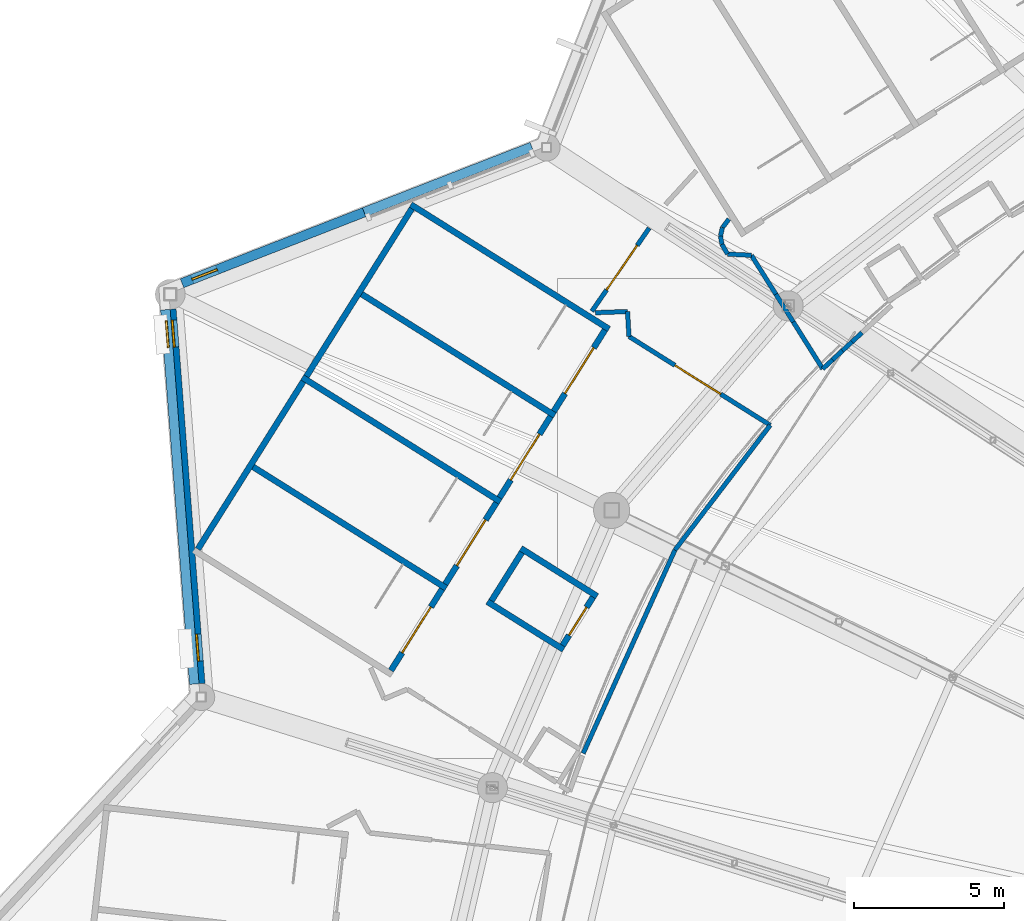
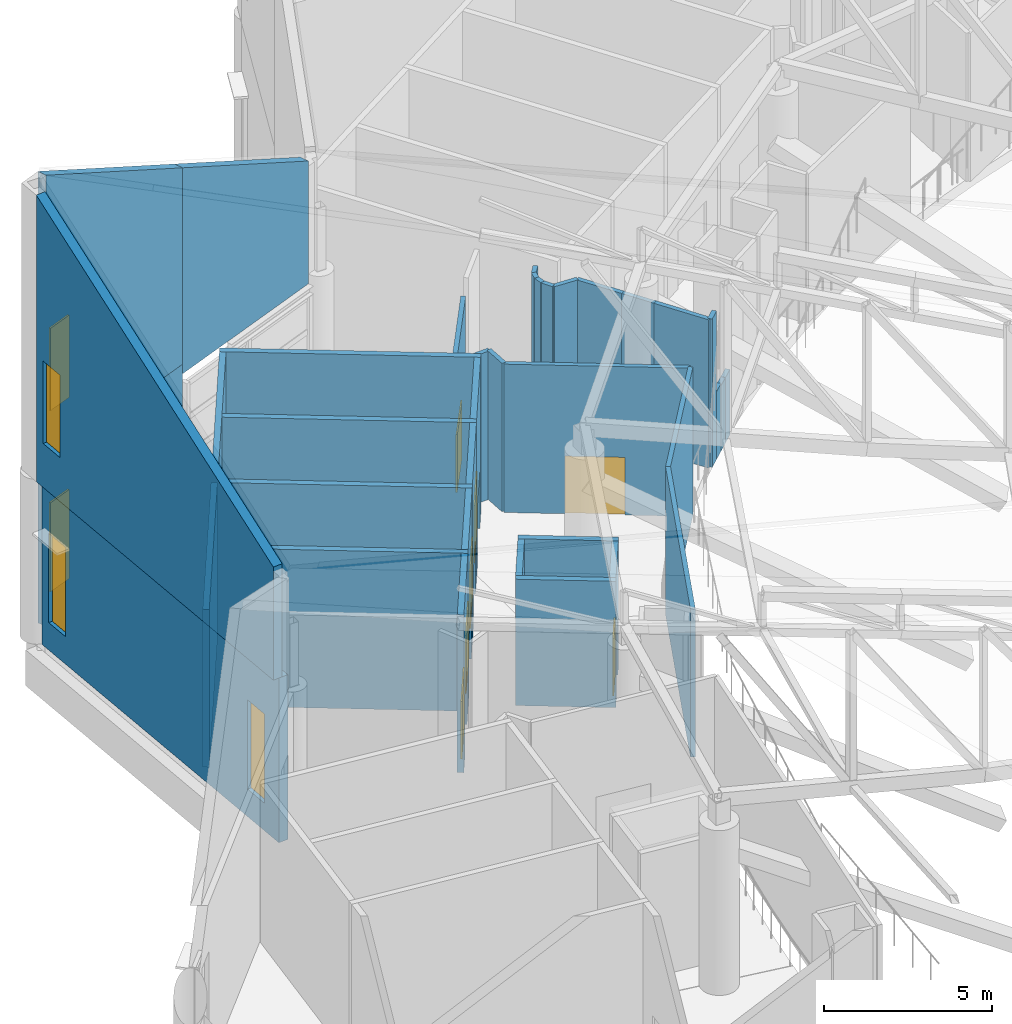
# One storey, part 263 of 344: 37 walls, 7 doors, 5 windows, 12 openings.
"""IFC4 building model written with IfcOpenShell, lengths in metres."""

import ifcopenshell
import ifcopenshell.guid

model = None  # the IFC model being written
_history = None  # IfcOwnerHistory: only IFC2X3 demands one
_inside = {}  # id of a spatial element -> (the spatial element, [elements in it])
_under = {}  # id of a project, library or spatial element -> (it, [spatial elements below it])
_declared = {}  # id of a project -> (the project, [libraries it declares])
_typed = {}  # id of a type object -> (the type object, [elements of that type])
_made_of = {}  # id of a material, layer set ... -> (it, [elements and type objects made of it])


def new_model(schema):
    """Start an empty IFC model of exactly this schema.

    Asked for "IFC4X3", IfcOpenShell would pick the latest addendum, in which some entities
    have other attributes; the version numbers below select the first issue.
    IFC2X3 requires an IfcOwnerHistory on every rooted entity: one is made here for all.
    """
    global model, _history
    if schema == "IFC4X3":
        model = ifcopenshell.file(schema_version=(4, 3, 0, 0))
    else:
        model = ifcopenshell.file(schema=schema)
    _inside.clear()
    _under.clear()
    _declared.clear()
    _typed.clear()
    _made_of.clear()
    _history = None
    if model.schema == "IFC2X3":
        org = make("IfcOrganization", Name="unknown")
        user = make(
            "IfcPersonAndOrganization",
            ThePerson=make("IfcPerson", FamilyName="unknown"),
            TheOrganization=org,
        )
        app = make(
            "IfcApplication",
            ApplicationDeveloper=org,
            Version="unknown",
            ApplicationFullName="unknown",
            ApplicationIdentifier="unknown",
        )
        _history = make(
            "IfcOwnerHistory",
            OwningUser=user,
            OwningApplication=app,
            ChangeAction="ADDED",
            CreationDate=0,
        )
    return model


def make(cls, **values):
    """One entity of the class cls with the attributes given. An attribute that is None is left unset."""
    return model.create_entity(
        cls, **{name: value for name, value in values.items() if value is not None}
    )


def rooted(cls, **values):
    """An entity with a GlobalId (a new one), such as an element, a storey or a relation."""
    return make(cls, GlobalId=ifcopenshell.guid.new(), OwnerHistory=_history, **values)


def si_unit(unit_type, name, prefix=None):
    """IfcSIUnit, for example si_unit("LENGTHUNIT", "METRE", prefix="MILLI")."""
    return make("IfcSIUnit", UnitType=unit_type, Prefix=prefix, Name=name)


def assignment(units):
    """IfcUnitAssignment: the units of a project."""
    return None if units is None else make("IfcUnitAssignment", Units=units)


def point(xyz):
    """IfcCartesianPoint."""
    return None if xyz is None else make("IfcCartesianPoint", Coordinates=xyz)


def direction(xyz):
    """IfcDirection."""
    return None if xyz is None else make("IfcDirection", DirectionRatios=xyz)


def frame(location, z_axis=None, x_axis=None):
    """IfcAxis2Placement3D, a coordinate frame: its origin and axes. An axis left out is left unset."""
    return make(
        "IfcAxis2Placement3D",
        Location=point(location),
        Axis=direction(z_axis),
        RefDirection=direction(x_axis),
    )


def frame_2d(location, x_axis=None):
    """IfcAxis2Placement2D, a coordinate frame in the plane: its origin and x axis."""
    return make(
        "IfcAxis2Placement2D", Location=point(location), RefDirection=direction(x_axis)
    )


def origin():
    """The frame at (0, 0, 0) with its axes left unset."""
    return frame((0.0, 0.0, 0.0))


def place(relative_to, where):
    """IfcLocalPlacement: puts the frame where relative to a parent placement (None: the world)."""
    return make(
        "IfcLocalPlacement", PlacementRelTo=relative_to, RelativePlacement=where
    )


def context(
    kind, dimensions, precision=None, world=None, true_north=None, identifier=None
):
    """IfcGeometricRepresentationContext, for example the 3D "Model" context."""
    return make(
        "IfcGeometricRepresentationContext",
        ContextIdentifier=identifier,
        ContextType=kind,
        CoordinateSpaceDimension=dimensions,
        Precision=precision,
        WorldCoordinateSystem=world,
        TrueNorth=true_north,
    )


def subcontext(parent, identifier, kind, view, scale=None):
    """IfcGeometricRepresentationSubContext, for example "Body" below "Model"."""
    return make(
        "IfcGeometricRepresentationSubContext",
        ContextIdentifier=identifier,
        ContextType=kind,
        ParentContext=parent,
        TargetScale=scale,
        TargetView=view,
    )


def project(units=None, contexts=None):
    """IfcProject with its units and contexts."""
    return rooted(
        "IfcProject",
        Name="project",
        RepresentationContexts=contexts,
        UnitsInContext=assignment(units),
    )


def spatial(cls, under=None, at=None, **own):
    """A site, building, storey or space (cls), placed at a placement, below another one or the project."""
    s = rooted(cls, ObjectPlacement=at, **own)
    if under is not None:
        _under.setdefault(under.id(), (under, []))[1].append(s)
    return s


def polyline(points):
    """IfcPolyline through the points."""
    return make("IfcPolyline", Points=[point(p) for p in points])


def profile(cls, at=None, kind="AREA", **sizes):
    """A parametric profile (cls). Its sizes go by their IFC names, for example OverallWidth=200.0."""
    return make(cls, ProfileType=kind, Position=at, **sizes)


def rectangle(**sizes):
    """IfcRectangleProfileDef."""
    return profile("IfcRectangleProfileDef", **sizes)


def outline(outer, holes=None, kind="AREA"):
    """IfcArbitraryClosedProfileDef: a profile drawn as a closed curve; with holes, ...WithVoids."""
    if holes is None:
        return make("IfcArbitraryClosedProfileDef", ProfileType=kind, OuterCurve=outer)
    return make(
        "IfcArbitraryProfileDefWithVoids",
        ProfileType=kind,
        OuterCurve=outer,
        InnerCurves=holes,
    )


def extrude(swept, where, along, depth):
    """IfcExtrudedAreaSolid: the profile swept, set in the frame where, extruded along a direction by depth."""
    return make(
        "IfcExtrudedAreaSolid",
        SweptArea=swept,
        Position=where,
        ExtrudedDirection=direction(along),
        Depth=depth,
    )


def shape(context_of_items, identifier, shape_type, items):
    """IfcShapeRepresentation: the items that make up one representation, for example the "Body"."""
    return make(
        "IfcShapeRepresentation",
        ContextOfItems=context_of_items,
        RepresentationIdentifier=identifier,
        RepresentationType=shape_type,
        Items=items,
    )


def material(Name=None, Category=None):
    """IfcMaterial."""
    return make("IfcMaterial", Name=Name, Category=Category)


def layer(
    of_material, thickness, ventilated=None, Name=None, Category=None, Priority=None
):
    """IfcMaterialLayer: one layer of a wall or slab, of a material (None: an air gap)."""
    return make(
        "IfcMaterialLayer",
        Material=of_material,
        LayerThickness=thickness,
        IsVentilated=ventilated,
        Name=Name,
        Category=Category,
        Priority=Priority,
    )


def layer_set(layers, Name=None):
    """IfcMaterialLayerSet."""
    return make("IfcMaterialLayerSet", MaterialLayers=layers, LayerSetName=Name)


def made_of(thing, what):
    """Note that an element or type object is made of a material, layer set ...; save() writes the relation."""
    if what is not None:
        _made_of.setdefault(what.id(), (what, []))[1].append(thing)
    return thing


def type_object(cls, material=None, **own):
    """A type object (cls), such as IfcWallType, which elements share."""
    return made_of(rooted(cls, **own), material)


def element(
    cls,
    number,
    at=None,
    inside=None,
    cuts=None,
    type_object=None,
    material=None,
    context=None,
    identifier="Body",
    shape_type=None,
    held_by="IfcProductDefinitionShape",
    body=None,
    shapes=None,
    **own,
):
    """One element of the class cls, such as IfcWall. Its Tag is "e" and its number.

    at: its placement. inside: the storey or other place that contains it. cuts: it is an
    opening in that element (IfcRelVoidsElement). A single representation is given by context,
    identifier, shape_type and body (its items); several are given by shapes. held_by: the class
    of the entity that holds the representations. save() writes the other relations.
    """
    e = rooted(cls, Tag="e%d" % number, ObjectPlacement=at, **own)
    if body is not None:
        shapes = [shape(context, identifier, shape_type, body)]
    if shapes is not None:
        e.Representation = make(held_by, Representations=shapes)
    if inside is not None:
        _inside.setdefault(inside.id(), (inside, []))[1].append(e)
    if cuts is not None:
        rooted(
            "IfcRelVoidsElement", RelatingBuildingElement=cuts, RelatedOpeningElement=e
        )
    if type_object is not None:
        _typed.setdefault(type_object.id(), (type_object, []))[1].append(e)
    return made_of(e, material)


def fill(opening, filler):
    """IfcRelFillsElement: the door or window that sits in an opening."""
    return rooted(
        "IfcRelFillsElement",
        RelatingOpeningElement=opening,
        RelatedBuildingElement=filler,
    )


def aggregate(whole, parts):
    """IfcRelAggregates: a whole, such as a stair, and the parts it consists of."""
    return rooted("IfcRelAggregates", RelatingObject=whole, RelatedObjects=parts)


def save(model, path):
    """Write the relations noted so far, then the file.

    IfcRelAggregates (storeys below a building ...), IfcRelContainedInSpatialStructure (elements
    in a storey), IfcRelDefinesByType, IfcRelAssociatesMaterial and IfcRelDeclares: one each for
    every whole, place, type object, material and project.
    """
    for whole, parts in _under.values():
        aggregate(whole, parts)
    for where, things in _inside.values():
        rooted(
            "IfcRelContainedInSpatialStructure",
            RelatedElements=things,
            RelatingStructure=where,
        )
    for kind, things in _typed.values():
        rooted("IfcRelDefinesByType", RelatedObjects=things, RelatingType=kind)
    for what, things in _made_of.values():
        rooted("IfcRelAssociatesMaterial", RelatedObjects=things, RelatingMaterial=what)
    for by, libraries in _declared.values():
        rooted("IfcRelDeclares", RelatingContext=by, RelatedDefinitions=libraries)
    model.write(path)


model = new_model("IFC4")

# Units and contexts
model_context = context("Model", 3, precision=1e-05, world=origin(), true_north=direction((0.0, 1.0)))
body_context = subcontext(model_context, "Body", "Model", "MODEL_VIEW")
ifc_project = project(units=[si_unit("LENGTHUNIT", "METRE"), si_unit("AREAUNIT", "SQUARE_METRE"), si_unit("VOLUMEUNIT", "CUBIC_METRE"), si_unit("PLANEANGLEUNIT", "RADIAN"), si_unit("MASSUNIT", "GRAM", prefix="KILO")], contexts=[model_context])

# Site, building, storey
site_placement = place(None, origin())
site = spatial("IfcSite", under=ifc_project, at=site_placement, CompositionType="ELEMENT")
building_placement = place(site_placement, origin())
building = spatial("IfcBuilding", under=site, at=building_placement, Name="Meseta Stadium", CompositionType="ELEMENT")
storey_placement = place(building_placement, frame((0.0, 0.0, 24.0)))
storey = spatial("IfcBuildingStorey", under=building, at=storey_placement, Name="L04", CompositionType="ELEMENT", Elevation=24.0)

# Walls
ifc_material_1 = material(Name="Concrete C40/50", Category="concrete")
ifc_layer_1 = layer(ifc_material_1, 0.199951171875)
ifc_layer_set_1 = layer_set([ifc_layer_1], Name="Core divider wall 200")
wall_type_1 = type_object("IfcWallType", Name="Core divider wall 200", PredefinedType="SHEAR", material=ifc_layer_set_1)
wall_1_placement = place(storey_placement, frame((-86.696533203125, 79.5869140625, 0.0), z_axis=(0.0, 0.0, 1.0), x_axis=(0.846713903605, -0.532048461553, 0.0)))
element("IfcWall", 1, at=wall_1_placement, inside=storey, type_object=wall_type_1, Name="Core 14 L04 stair A divider wall", PredefinedType="SHEAR", context=body_context, shape_type="SweptSolid", body=[
    extrude(rectangle(XDim=7.7998046875, YDim=0.199951171875, at=frame_2d((3.89990234375, 0.0))), origin(), (0.0, 0.0, 1.0), 5.75),
])
wall_2_placement = place(storey_placement, frame((-90.314453125, 73.8291015625, 0.0), z_axis=(0.0, 0.0, 1.0), x_axis=(0.846722763703, -0.532034361135, 0.0)))
element("IfcWall", 2, at=wall_2_placement, inside=storey, type_object=wall_type_1, Name="Core 14 L04 stair B divider wall", PredefinedType="SHEAR", context=body_context, shape_type="SweptSolid", body=[
    extrude(rectangle(XDim=7.800048828125, YDim=0.199951171875, at=frame_2d((3.89990234375, 0.0))), origin(), (0.0, 0.0, 1.0), 5.75),
])
ifc_material_2 = material(Name="Concrete C40/50", Category="concrete")
ifc_layer_2 = layer(ifc_material_2, 0.199951171875)
ifc_layer_set_2 = layer_set([ifc_layer_2], Name="Core shaft wall 200")
wall_type_2 = type_object("IfcWallType", Name="Core shaft wall 200", PredefinedType="SHEAR", material=ifc_layer_set_2)
for number, where, z_axis, x_axis, name in (
    (3, (-84.8876953125, 82.4658203125, 0.0), (0.0, 0.0, 1.0), (0.846722763703, -0.532034361135, 0.0), "Core 14 L04 stair wall A-side"),
    (4, (-88.505615234375, 76.7080078125, 0.0), (0.0, 0.0, 1.0), (0.846722763703, -0.532034361135, 0.0), "Core 14 L04 stair wall shared"),
):
    element("IfcWall", number, at=place(storey_placement, frame(where, z_axis=z_axis, x_axis=x_axis)), inside=storey, type_object=wall_type_2, Name=name, PredefinedType="SHEAR", context=body_context, shape_type="SweptSolid", body=[
        extrude(rectangle(XDim=7.800048828125, YDim=0.199951171875, at=frame_2d((3.89990234375, 0.0))), origin(), (0.0, 0.0, 1.0), 5.75),
    ])
for number, where, z_axis, x_axis, name in (
    (5, (-84.856201171875, 82.327880859375, 0.0), (0.0, 0.0, 1.0), (-0.532038964807, -0.846719870989, 0.0), "Core 14 L04 stair A outer end wall"),
    (6, (-88.47412109375, 76.570068359375, 0.0), (0.0, 0.0, 1.0), (-0.532038964807, -0.846719870989, 0.0), "Core 14 L04 stair B outer end wall"),
):
    element("IfcWall", number, at=place(storey_placement, frame(where, z_axis=z_axis, x_axis=x_axis)), inside=storey, type_object=wall_type_2, Name=name, PredefinedType="SHEAR", context=body_context, shape_type="SweptSolid", body=[
        extrude(rectangle(XDim=6.60009765625, YDim=0.199951171875, at=frame_2d((3.300048828125, 0.0))), origin(), (0.0, 0.0, 1.0), 5.75),
    ])

# Wall, opening, door
wall_3_placement = place(storey_placement, frame((-78.421142578125, 78.284423828125, 0.0), z_axis=(0.0, 0.0, 1.0), x_axis=(-0.53206841829, -0.84670136309, 0.0)))
wall_3 = element("IfcWall", 7, at=wall_3_placement, inside=storey, type_object=wall_type_2, Name="Core 14 L04 stair A1 inner end wall", PredefinedType="SHEAR", context=body_context, shape_type="SweptSolid", body=[
    extrude(rectangle(XDim=3.199951171875, YDim=0.199951171875, at=frame_2d((1.60009765625, 0.0))), origin(), (0.0, 0.0, 1.0), 5.75),
])
opening_1_placement = place(wall_3_placement, frame((0.699951171875, 0.0, 0.0)))
opening_1 = element("IfcOpeningElement", 8, at=opening_1_placement, cuts=wall_3, Name="Opening D1543", PredefinedType="OPENING", context=body_context, shape_type="SweptSolid", body=[
    extrude(rectangle(XDim=1.800048828125, YDim=2.10009765625, at=frame_2d((0.89990234375, 1.050048828125))), frame((0.0, 0.10986328125, 0.0), z_axis=(0.0, -1.0, 0.0), x_axis=(1.0, 0.0, 0.0)), (0.0, 0.0, 1.0), 0.219970703125),
])
ifc_material_3 = material(Name="Steel", Category="steel")
door_type_1 = type_object("IfcDoorType", Name="Stair door 1800x2100", OperationType="DOUBLE_DOOR_SINGLE_SWING", PredefinedType="DOOR", material=ifc_material_3)
door_1_placement = place(opening_1_placement, origin())
door_1 = element("IfcDoor", 9, at=door_1_placement, inside=storey, type_object=door_type_1, Name="Stair A1 door 14 L04", OperationType="DOUBLE_DOOR_SINGLE_SWING", OverallHeight=2.10009765625, OverallWidth=1.800048828125, PredefinedType="DOOR", context=body_context, shape_type="SweptSolid", body=[
    extrude(rectangle(XDim=1.800048828125, YDim=2.10009765625, at=frame_2d((0.89990234375, 1.050048828125))), frame((0.0, 0.02490234375, 0.0), z_axis=(0.0, -1.0, 0.0), x_axis=(1.0, 0.0, 0.0)), (0.0, 0.0, 1.0), 0.050048828125),
])
fill(opening_1, door_1)

wall_4_placement = place(storey_placement, frame((-80.22998046875, 75.405517578125, 0.0), z_axis=(0.0, 0.0, 1.0), x_axis=(-0.53206841829, -0.84670136309, 0.0)))
wall_4 = element("IfcWall", 10, at=wall_4_placement, inside=storey, type_object=wall_type_2, Name="Core 14 L04 stair A2 inner end wall", PredefinedType="SHEAR", context=body_context, shape_type="SweptSolid", body=[
    extrude(rectangle(XDim=3.199951171875, YDim=0.199951171875, at=frame_2d((1.60009765625, 0.0))), origin(), (0.0, 0.0, 1.0), 5.75),
])
opening_2_placement = place(wall_4_placement, frame((0.699951171875, 0.0, 0.0)))
opening_2 = element("IfcOpeningElement", 11, at=opening_2_placement, cuts=wall_4, Name="Opening D1541", PredefinedType="OPENING", context=body_context, shape_type="SweptSolid", body=[
    extrude(rectangle(XDim=1.800048828125, YDim=2.10009765625, at=frame_2d((0.89990234375, 1.050048828125))), frame((0.0, 0.10986328125, 0.0), z_axis=(0.0, -1.0, 0.0), x_axis=(1.0, 0.0, 0.0)), (0.0, 0.0, 1.0), 0.219970703125),
])
door_2_placement = place(opening_2_placement, origin())
door_2 = element("IfcDoor", 12, at=door_2_placement, inside=storey, type_object=door_type_1, Name="Stair A2 door 14 L04", OperationType="DOUBLE_DOOR_SINGLE_SWING", OverallHeight=2.10009765625, OverallWidth=1.800048828125, PredefinedType="DOOR", context=body_context, shape_type="SweptSolid", body=[
    extrude(rectangle(XDim=1.800048828125, YDim=2.10009765625, at=frame_2d((0.89990234375, 1.050048828125))), frame((0.0, 0.02490234375, 0.0), z_axis=(0.0, -1.0, 0.0), x_axis=(1.0, 0.0, 0.0)), (0.0, 0.0, 1.0), 0.050048828125),
])
fill(opening_2, door_2)

wall_5_placement = place(storey_placement, frame((-82.0390625, 72.526611328125, 0.0), z_axis=(0.0, 0.0, 1.0), x_axis=(-0.532013720158, -0.846735733015, 0.0)))
wall_5 = element("IfcWall", 13, at=wall_5_placement, inside=storey, type_object=wall_type_2, Name="Core 14 L04 stair B1 inner end wall", PredefinedType="SHEAR", context=body_context, shape_type="SweptSolid", body=[
    extrude(rectangle(XDim=3.199951171875, YDim=0.199951171875, at=frame_2d((1.60009765625, 0.0))), origin(), (0.0, 0.0, 1.0), 5.75),
])
opening_3_placement = place(wall_5_placement, frame((0.673095703125, 0.0, 0.0)))
opening_3 = element("IfcOpeningElement", 14, at=opening_3_placement, cuts=wall_5, Name="Opening D1540", PredefinedType="OPENING", context=body_context, shape_type="SweptSolid", body=[
    extrude(rectangle(XDim=1.800048828125, YDim=2.10009765625, at=frame_2d((0.89990234375, 1.050048828125))), frame((0.0, 0.10986328125, 0.0), z_axis=(0.0, -1.0, 0.0), x_axis=(1.0, 0.0, 0.0)), (0.0, 0.0, 1.0), 0.219970703125),
])
door_3_placement = place(opening_3_placement, origin())
door_3 = element("IfcDoor", 15, at=door_3_placement, inside=storey, type_object=door_type_1, Name="Stair B1 door 14 L04", OperationType="DOUBLE_DOOR_SINGLE_SWING", OverallHeight=2.10009765625, OverallWidth=1.800048828125, PredefinedType="DOOR", context=body_context, shape_type="SweptSolid", body=[
    extrude(rectangle(XDim=1.800048828125, YDim=2.10009765625, at=frame_2d((0.89990234375, 1.050048828125))), frame((0.0, 0.02490234375, 0.0), z_axis=(0.0, -1.0, 0.0), x_axis=(1.0, 0.0, 0.0)), (0.0, 0.0, 1.0), 0.050048828125),
])
fill(opening_3, door_3)

wall_6_placement = place(storey_placement, frame((-83.847900390625, 69.647705078125, 0.0), z_axis=(0.0, 0.0, 1.0), x_axis=(-0.532013720158, -0.846735733015, 0.0)))
wall_6 = element("IfcWall", 16, at=wall_6_placement, inside=storey, type_object=wall_type_2, Name="Core 14 L04 stair B2 inner end wall", PredefinedType="SHEAR", context=body_context, shape_type="SweptSolid", body=[
    extrude(rectangle(XDim=3.199951171875, YDim=0.199951171875, at=frame_2d((1.60009765625, 0.0))), origin(), (0.0, 0.0, 1.0), 5.75),
])
opening_4_placement = place(wall_6_placement, frame((0.699951171875, 0.0, 0.0)))
opening_4 = element("IfcOpeningElement", 17, at=opening_4_placement, cuts=wall_6, Name="Opening D1536", PredefinedType="OPENING", context=body_context, shape_type="SweptSolid", body=[
    extrude(rectangle(XDim=1.800048828125, YDim=2.10009765625, at=frame_2d((0.89990234375, 1.050048828125))), frame((0.0, 0.10986328125, 0.0), z_axis=(0.0, -1.0, 0.0), x_axis=(1.0, 0.0, 0.0)), (0.0, 0.0, 1.0), 0.219970703125),
])
door_4_placement = place(opening_4_placement, origin())
door_4 = element("IfcDoor", 18, at=door_4_placement, inside=storey, type_object=door_type_1, Name="Stair B2 door 14 L04", OperationType="DOUBLE_DOOR_SINGLE_SWING", OverallHeight=2.10009765625, OverallWidth=1.800048828125, PredefinedType="DOOR", context=body_context, shape_type="SweptSolid", body=[
    extrude(rectangle(XDim=1.800048828125, YDim=2.10009765625, at=frame_2d((0.89990234375, 1.050048828125))), frame((0.0, 0.02490234375, 0.0), z_axis=(0.0, -1.0, 0.0), x_axis=(1.0, 0.0, 0.0)), (0.0, 0.0, 1.0), 0.050048828125),
])
fill(opening_4, door_4)

# Walls
for number, where, z_axis, x_axis, name in (
    (19, (-81.22119140625, 71.0087890625, 0.0), (0.0, 0.0, 1.0), (0.846757002027, -0.531979867588, 0.0), "Core 14 L04 lift shaft wall left"),
    (20, (-82.33837890625, 69.230712890625, 0.0), (0.0, 0.0, 1.0), (0.846757002027, -0.531979867588, 0.0), "Core 14 L04 lift shaft wall right"),
):
    element("IfcWall", number, at=place(storey_placement, frame(where, z_axis=z_axis, x_axis=x_axis)), inside=storey, type_object=wall_type_2, Name=name, PredefinedType="SHEAR", context=body_context, shape_type="SweptSolid", body=[
        extrude(rectangle(XDim=3.0, YDim=0.199951171875, at=frame_2d((1.5, 0.0))), origin(), (0.0, 0.0, 1.0), 4.60009765625),
    ])
wall_7_placement = place(storey_placement, frame((-81.189697265625, 70.87109375, 0.0), z_axis=(0.0, 0.0, 1.0), x_axis=(-0.531961007765, -0.846768850524, 0.0)))
element("IfcWall", 21, at=wall_7_placement, inside=storey, type_object=wall_type_2, Name="Core 14 L04 lift shaft back wall", PredefinedType="SHEAR", context=body_context, shape_type="SweptSolid", body=[
    extrude(rectangle(XDim=1.900146484375, YDim=0.199951171875, at=frame_2d((0.9501953125, 0.0))), origin(), (0.0, 0.0, 1.0), 4.60009765625),
])

# Wall, opening, door
wall_8_placement = place(storey_placement, frame((-78.81884765625, 69.38134765625, 0.0), z_axis=(0.0, 0.0, 1.0), x_axis=(-0.532018892235, -0.846732483318, 0.0)))
wall_8 = element("IfcWall", 22, at=wall_8_placement, inside=storey, type_object=wall_type_2, Name="Core 14 L04 lift shaft front wall", PredefinedType="SHEAR", context=body_context, shape_type="SweptSolid", body=[
    extrude(rectangle(XDim=1.89990234375, YDim=0.199951171875, at=frame_2d((0.949951171875, 0.0))), origin(), (0.0, 0.0, 1.0), 4.60009765625),
])
opening_5_placement = place(wall_8_placement, frame((0.39990234375, 0.0, 0.0)))
opening_5 = element("IfcOpeningElement", 23, at=opening_5_placement, cuts=wall_8, Name="Opening LD78", PredefinedType="OPENING", context=body_context, shape_type="SweptSolid", body=[
    extrude(rectangle(XDim=1.10009765625, YDim=2.10009765625, at=frame_2d((0.550048828125, 1.050048828125))), frame((0.0, 0.10986328125, 0.0), z_axis=(0.0, -1.0, 0.0), x_axis=(1.0, 0.0, 0.0)), (0.0, 0.0, 1.0), 0.219970703125),
])
ifc_material_4 = material(Name="Steel", Category="steel")
door_type_2 = type_object("IfcDoorType", Name="Lift landing door 1100x2100", OperationType="SLIDING_TO_LEFT", PredefinedType="DOOR", material=ifc_material_4)
door_5_placement = place(opening_5_placement, origin())
door_5 = element("IfcDoor", 24, at=door_5_placement, inside=storey, type_object=door_type_2, Name="Lift landing door LD78", OperationType="SLIDING_TO_RIGHT", OverallHeight=2.10009765625, OverallWidth=1.10009765625, PredefinedType="DOOR", context=body_context, shape_type="SweptSolid", body=[
    extrude(rectangle(XDim=1.10009765625, YDim=2.10009765625, at=frame_2d((0.550048828125, 1.050048828125))), frame((0.0, 0.02490234375, 0.0), z_axis=(0.0, -1.0, 0.0), x_axis=(1.0, 0.0, 0.0)), (0.0, 0.0, 1.0), 0.050048828125),
])
fill(opening_5, door_5)

ifc_material_5 = material(Name="Masonry blockwork", Category="masonry")
ifc_layer_3 = layer(ifc_material_5, 0.14990234375)
ifc_layer_set_3 = layer_set([ifc_layer_3], Name="Partition 150")
wall_type_3 = type_object("IfcWallType", Name="Partition 150", PredefinedType="PARTITIONING", material=ifc_layer_set_3)
wall_9_placement = place(storey_placement, frame((-76.947021484375, 81.679931640625, 0.0), z_axis=(0.0, 0.0, 1.0), x_axis=(-0.567452953266, -0.823405820862, 0.0)))
wall_9 = element("IfcWall", 25, at=wall_9_placement, inside=storey, type_object=wall_type_3, Name="Partition L04 L04-cell12-1-0", PredefinedType="PARTITIONING", context=body_context, shape_type="SweptSolid", body=[
    extrude(rectangle(XDim=3.3623046875, YDim=0.14990234375, at=frame_2d((1.68115234375, 0.0))), origin(), (0.0, 0.0, 1.0), 5.39990234375),
])
opening_6_placement = place(wall_9_placement, frame((0.699951171875, 0.0, 0.0)))
opening_6 = element("IfcOpeningElement", 26, at=opening_6_placement, cuts=wall_9, Name="Opening D1545", PredefinedType="OPENING", context=body_context, shape_type="SweptSolid", body=[
    extrude(rectangle(XDim=1.800048828125, YDim=2.10009765625, at=frame_2d((0.89990234375, 1.050048828125))), frame((0.0, 0.0849609375, 0.0), z_axis=(0.0, -1.0, 0.0), x_axis=(1.0, 0.0, 0.0)), (0.0, 0.0, 1.0), 0.169921875),
])
ifc_material_6 = material(Name="Timber", Category="wood")
door_type_3 = type_object("IfcDoorType", Name="Room double door 1800x2100", OperationType="DOUBLE_DOOR_SINGLE_SWING", PredefinedType="DOOR", material=ifc_material_6)
door_6_placement = place(opening_6_placement, origin())
door_6 = element("IfcDoor", 27, at=door_6_placement, inside=storey, type_object=door_type_3, Name="Room door L04 L04-cell12-1-0", OperationType="DOUBLE_DOOR_SINGLE_SWING", OverallHeight=2.10009765625, OverallWidth=1.800048828125, PredefinedType="DOOR", context=body_context, shape_type="SweptSolid", body=[
    extrude(rectangle(XDim=1.800048828125, YDim=2.10009765625, at=frame_2d((0.89990234375, 1.050048828125))), frame((0.0, 0.02490234375, 0.0), z_axis=(0.0, -1.0, 0.0), x_axis=(1.0, 0.0, 0.0)), (0.0, 0.0, 1.0), 0.050048828125),
])
fill(opening_6, door_6)

# Walls
wall_10_placement = place(storey_placement, frame((-74.288818359375, 81.979736328125, 0.0), z_axis=(0.0, 0.0, 1.0), x_axis=(-0.609611338379, -0.792700458004, 0.0)))
element("IfcWall", 28, at=wall_10_placement, inside=storey, type_object=wall_type_3, Name="Stair vestibule wall L04 core 13", PredefinedType="PARTITIONING", context=body_context, shape_type="SweptSolid", body=[
    extrude(rectangle(XDim=0.35595703125, YDim=0.14990234375, at=frame_2d((0.177978515625, 0.0))), origin(), (0.0, 0.0, 1.0), 5.39990234375),
])
wall_11_placement = place(storey_placement, frame((-74.505859375, 81.697509765625, 0.0), z_axis=(0.0, 0.0, 1.0), x_axis=(-0.22210291642, -0.975023227681, 0.0)))
element("IfcWall", 29, at=wall_11_placement, inside=storey, type_object=wall_type_3, Name="Stair vestibule wall L04 core 13", PredefinedType="PARTITIONING", context=body_context, shape_type="SweptSolid", body=[
    extrude(rectangle(XDim=0.28466796875, YDim=0.14990234375, at=frame_2d((0.142333984375, 0.0))), origin(), (0.0, 0.0, 1.0), 5.39990234375),
])
wall_12_placement = place(storey_placement, frame((-74.569091796875, 81.419921875, 0.0), z_axis=(0.0, 0.0, 1.0), x_axis=(0.166082011564, -0.986111943663, 0.0)))
element("IfcWall", 30, at=wall_12_placement, inside=storey, type_object=wall_type_3, Name="Stair vestibule wall L04 core 13", PredefinedType="PARTITIONING", context=body_context, shape_type="SweptSolid", body=[
    extrude(rectangle(XDim=0.2822265625, YDim=0.14990234375, at=frame_2d((0.14111328125, 0.0))), origin(), (0.0, 0.0, 1.0), 5.39990234375),
])
wall_13_placement = place(storey_placement, frame((-74.522216796875, 81.1416015625, 0.0), z_axis=(0.0, 0.0, 1.0), x_axis=(0.499215914633, -0.866477622664, 0.0)))
element("IfcWall", 31, at=wall_13_placement, inside=storey, type_object=wall_type_3, Name="Stair vestibule wall L04 core 13", PredefinedType="PARTITIONING", context=body_context, shape_type="SweptSolid", body=[
    extrude(rectangle(XDim=0.37548828125, YDim=0.14990234375, at=frame_2d((0.187744140625, 0.0))), origin(), (0.0, 0.0, 1.0), 5.39990234375),
])
wall_14_placement = place(storey_placement, frame((-74.334716796875, 80.816162109375, 0.0), z_axis=(0.0, 0.0, 1.0), x_axis=(0.998641436445, -0.052108362245, 0.0)))
element("IfcWall", 32, at=wall_14_placement, inside=storey, type_object=wall_type_3, Name="Stair vestibule wall L04 core 13", PredefinedType="PARTITIONING", context=body_context, shape_type="SweptSolid", body=[
    extrude(rectangle(XDim=0.79638671875, YDim=0.14990234375, at=frame_2d((0.398193359375, 0.0))), origin(), (0.0, 0.0, 1.0), 5.39990234375),
])
wall_15_placement = place(storey_placement, frame((-73.539306640625, 80.774658203125, 0.0), z_axis=(0.0, 0.0, 1.0), x_axis=(0.532103006557, -0.846679626785, 0.0)))
element("IfcWall", 33, at=wall_15_placement, inside=storey, type_object=wall_type_3, Name="Stair vestibule wall L04 core 13", PredefinedType="PARTITIONING", context=body_context, shape_type="SweptSolid", body=[
    extrude(rectangle(XDim=1.531982421875, YDim=0.14990234375, at=frame_2d((0.76611328125, 0.0))), origin(), (0.0, 0.0, 1.0), 5.39990234375),
])
wall_16_placement = place(storey_placement, frame((-72.142822265625, 78.55224609375, 0.0), z_axis=(0.0, 0.0, 1.0), x_axis=(0.532019756259, -0.846731940434, 0.0)))
element("IfcWall", 34, at=wall_16_placement, inside=storey, type_object=wall_type_3, Name="Stair vestibule wall L04 core 13", PredefinedType="PARTITIONING", context=body_context, shape_type="SweptSolid", body=[
    extrude(rectangle(XDim=1.8447265625, YDim=0.14990234375, at=frame_2d((0.92236328125, 0.0))), origin(), (0.0, 0.0, 1.0), 5.39990234375),
])
wall_17_placement = place(storey_placement, frame((-71.161376953125, 76.990234375, 0.0), z_axis=(0.0, 0.0, 1.0), x_axis=(0.735140890353, 0.677914353979, 0.0)))
element("IfcWall", 35, at=wall_17_placement, inside=storey, type_object=wall_type_3, Name="Stair vestibule wall L04 core 13", PredefinedType="PARTITIONING", context=body_context, shape_type="SweptSolid", body=[
    extrude(rectangle(XDim=0.443603515625, YDim=0.14990234375, at=frame_2d((0.2216796875, 0.0))), origin(), (0.0, 0.0, 1.0), 5.39990234375),
])
wall_18_placement = place(storey_placement, frame((-70.835205078125, 77.291015625, 0.0), z_axis=(0.0, 0.0, 1.0), x_axis=(0.735119559596, 0.677937484654, 0.0)))
element("IfcWall", 36, at=wall_18_placement, inside=storey, type_object=wall_type_3, Name="Stair vestibule wall L04 core 13", PredefinedType="PARTITIONING", context=body_context, shape_type="SweptSolid", body=[
    extrude(rectangle(XDim=0.444091796875, YDim=0.14990234375, at=frame_2d((0.22216796875, 0.0))), origin(), (0.0, 0.0, 1.0), 2.464599609375),
])
for number, where, z_axis, x_axis, name in (
    (37, (-70.5087890625, 77.592041015625, 0.0), (0.0, 0.0, 1.0), (0.73486670596, 0.67821156321, 0.0), "Stair vestibule wall L04 core 13"),
    (38, (-70.1826171875, 77.89306640625, 0.0), (0.0, 0.0, 1.0), (0.73486670596, 0.67821156321, 0.0), "Stair vestibule wall L04 core 13"),
):
    element("IfcWall", number, at=place(storey_placement, frame(where, z_axis=z_axis, x_axis=x_axis)), inside=storey, type_object=wall_type_3, Name=name, PredefinedType="PARTITIONING", context=body_context, shape_type="SweptSolid", body=[
        extrude(rectangle(XDim=0.44384765625, YDim=0.14990234375, at=frame_2d((0.221923828125, 0.0))), origin(), (0.0, 0.0, 1.0), 2.381103515625),
    ])
wall_19_placement = place(storey_placement, frame((-72.72412109375, 79.4775390625, 0.0), z_axis=(0.0, 0.0, 1.0), x_axis=(0.532066281882, -0.846702705608, 0.0)))
element("IfcWall", 39, at=wall_19_placement, inside=storey, type_object=wall_type_3, Name="Stair vestibule wall L04 core 13", PredefinedType="PARTITIONING", context=body_context, shape_type="SweptSolid", body=[
    extrude(rectangle(XDim=1.092529296875, YDim=0.14990234375, at=frame_2d((0.54638671875, 0.0))), origin(), (0.0, 0.0, 1.0), 5.39990234375),
])
wall_20_placement = place(storey_placement, frame((-79.144775390625, 64.17529296875, 0.0), z_axis=(0.0, 0.0, 1.0), x_axis=(0.411198704288, 0.911545734229, 0.0)))
element("IfcWall", 40, at=wall_20_placement, inside=storey, type_object=wall_type_3, Name="Stair vestibule wall L04 core 14", PredefinedType="PARTITIONING", context=body_context, shape_type="SweptSolid", body=[
    extrude(rectangle(XDim=7.435302734375, YDim=0.14990234375, at=frame_2d((3.7177734375, 0.0))), origin(), (0.0, 0.0, 1.0), 5.39990234375),
])
wall_21_placement = place(storey_placement, frame((-76.08740234375, 70.952880859375, 0.0), z_axis=(0.0, 0.0, 1.0), x_axis=(0.606793573824, 0.794859458499, 0.0)))
element("IfcWall", 41, at=wall_21_placement, inside=storey, type_object=wall_type_3, Name="Stair vestibule wall L04 core 14", PredefinedType="PARTITIONING", context=body_context, shape_type="SweptSolid", body=[
    extrude(rectangle(XDim=5.23291015625, YDim=0.14990234375, at=frame_2d((2.616455078125, 0.0))), origin(), (0.0, 0.0, 1.0), 5.39990234375),
])

# Wall, opening, door
wall_22_placement = place(storey_placement, frame((-72.912109375, 75.1123046875, 0.0), z_axis=(0.0, 0.0, 1.0), x_axis=(-0.846693618706, 0.532080742033, 0.0)))
wall_22 = element("IfcWall", 42, at=wall_22_placement, inside=storey, type_object=wall_type_3, Name="Stair vestibule wall L04 core 14", PredefinedType="PARTITIONING", context=body_context, shape_type="SweptSolid", body=[
    extrude(rectangle(XDim=5.5615234375, YDim=0.14990234375, at=frame_2d((2.78076171875, 0.0))), origin(), (0.0, 0.0, 1.0), 5.39990234375),
])
opening_7_placement = place(wall_22_placement, frame((1.949951171875, 0.0, 0.0)))
opening_7 = element("IfcOpeningElement", 43, at=opening_7_placement, cuts=wall_22, Name="Opening D1548", PredefinedType="OPENING", context=body_context, shape_type="SweptSolid", body=[
    extrude(rectangle(XDim=1.800048828125, YDim=2.10009765625, at=frame_2d((0.89990234375, 1.050048828125))), frame((0.0, 0.0849609375, 0.0), z_axis=(0.0, -1.0, 0.0), x_axis=(1.0, 0.0, 0.0)), (0.0, 0.0, 1.0), 0.169921875),
])
ifc_material_7 = material(Name="Steel", Category="steel")
door_type_4 = type_object("IfcDoorType", Name="Fire double door 1800x2100 EI2 60", OperationType="DOUBLE_DOOR_SINGLE_SWING", PredefinedType="DOOR", material=ifc_material_7)
door_7_placement = place(opening_7_placement, origin())
door_7 = element("IfcDoor", 44, at=door_7_placement, inside=storey, type_object=door_type_4, Name="Stair vestibule door L04 core 14", OperationType="DOUBLE_DOOR_SINGLE_SWING", OverallHeight=2.10009765625, OverallWidth=1.800048828125, PredefinedType="DOOR", context=body_context, shape_type="SweptSolid", body=[
    extrude(rectangle(XDim=1.800048828125, YDim=2.10009765625, at=frame_2d((0.89990234375, 1.050048828125))), frame((0.0, 0.02490234375, 0.0), z_axis=(0.0, -1.0, 0.0), x_axis=(1.0, 0.0, 0.0)), (0.0, 0.0, 1.0), 0.050048828125),
])
fill(opening_7, door_7)

# Walls
wall_23_placement = place(storey_placement, frame((-77.62109375, 78.071533203125, 0.0), z_axis=(0.0, 0.0, 1.0), x_axis=(-0.05349995556, 0.998567851853, 0.0)))
element("IfcWall", 45, at=wall_23_placement, inside=storey, type_object=wall_type_3, Name="Stair vestibule wall L04 core 14", PredefinedType="PARTITIONING", context=body_context, shape_type="SweptSolid", body=[
    extrude(rectangle(XDim=0.83056640625, YDim=0.14990234375, at=frame_2d((0.415283203125, 0.0))), origin(), (0.0, 0.0, 1.0), 5.39990234375),
])
wall_24_placement = place(storey_placement, frame((-77.66552734375, 78.90087890625, 0.0), z_axis=(0.0, 0.0, 1.0), x_axis=(-0.999318859575, -0.036902803378, 0.0)))
element("IfcWall", 46, at=wall_24_placement, inside=storey, type_object=wall_type_3, Name="Stair vestibule wall L04 core 14", PredefinedType="PARTITIONING", context=body_context, shape_type="SweptSolid", body=[
    extrude(rectangle(XDim=1.078369140625, YDim=0.14990234375, at=frame_2d((0.5390625, 0.0))), origin(), (0.0, 0.0, 1.0), 5.39990234375),
])

# Wall, opening, window
ifc_material_8 = material(Name="White precast concrete C40/50", Category="concrete")
ifc_layer_4 = layer(ifc_material_8, 0.320068359375)
ifc_layer_set_4 = layer_set([ifc_layer_4], Name="Pleated fascia panel 320 raked")
wall_type_4 = type_object("IfcWallType", Name="Pleated fascia panel 320 raked", PredefinedType="SOLIDWALL", material=ifc_layer_set_4)
wall_25_placement = place(storey_placement, frame((-92.515625, 79.84228515625, 6.0), z_axis=(0.0, 0.0, 1.0), x_axis=(0.931670160298, 0.363305260642, 0.0)))
wall_25 = element("IfcWall", 47, at=wall_25_placement, inside=storey, type_object=wall_type_4, Name="Pleated fascia panel L04 F25", PredefinedType="SOLIDWALL", context=body_context, shape_type="SweptSolid", body=[
    extrude(outline(polyline([(0.0, 0.0), (6.513671875, 0.0), (6.513671875, 7.147705078125), (0.0, 10.437744140625), (0.0, 0.0)])), frame((0.0, 0.16015625, 0.0), z_axis=(0.0, -1.0, 0.0), x_axis=(1.0, 0.0, 0.0)), (0.0, 0.0, 1.0), 0.320068359375),
])
opening_8_placement = place(wall_25_placement, frame((0.36328125, 0.0, 1.60009765625)))
opening_8 = element("IfcOpeningElement", 48, at=opening_8_placement, cuts=wall_25, Name="Opening W214", PredefinedType="OPENING", context=body_context, shape_type="SweptSolid", body=[
    extrude(rectangle(XDim=0.89990234375, YDim=3.0, at=frame_2d((0.449951171875, 1.5))), frame((0.0, 0.169921875, 0.0), z_axis=(0.0, -1.0, 0.0), x_axis=(1.0, 0.0, 0.0)), (0.0, 0.0, 1.0), 0.340087890625),
])
ifc_material_9 = material(Name="Aluminium", Category="aluminium")
window_type_1 = type_object("IfcWindowType", Name="Slot window 900x3000", PartitioningType="SINGLE_PANEL", PredefinedType="WINDOW", material=ifc_material_9)
window_1_placement = place(opening_8_placement, origin())
window_1 = element("IfcWindow", 49, at=window_1_placement, inside=storey, type_object=window_type_1, Name="Slot window L04 F25.6", OverallHeight=3.0, OverallWidth=0.89990234375, PartitioningType="SINGLE_PANEL", PredefinedType="WINDOW", context=body_context, shape_type="SweptSolid", body=[
    extrude(rectangle(XDim=0.89990234375, YDim=3.0, at=frame_2d((0.449951171875, 1.5))), frame((0.0, 0.030029296875, 0.0), z_axis=(0.0, -1.0, 0.0), x_axis=(1.0, 0.0, 0.0)), (0.0, 0.0, 1.0), 0.06005859375),
])
fill(opening_8, window_1)

# Wall
wall_26_placement = place(storey_placement, frame((-86.447021484375, 82.208740234375, 5.64990234375), z_axis=(0.0, 0.0, 1.0), x_axis=(0.931679759426, 0.36328064341, 0.0)))
element("IfcWall", 50, at=wall_26_placement, inside=storey, type_object=wall_type_4, Name="Pleated facade panel above atrium F25", PredefinedType="SOLIDWALL", context=body_context, shape_type="SweptSolid", body=[
    extrude(outline(polyline([(0.0, 0.0), (6.0, 0.0), (6.0, 4.46728515625), (0.0, 7.497802734375), (0.0, 0.0)])), frame((0.0, 0.16015625, 0.0), z_axis=(0.0, -1.0, 0.0), x_axis=(1.0, 0.0, 0.0)), (0.0, 0.0, 1.0), 0.320068359375),
])

# Wall, opening, window
wall_27_placement = place(storey_placement, frame((-92.106689453125, 66.484375, 6.0), z_axis=(0.0, 0.0, 1.0), x_axis=(-0.076945644854, 0.997035289114, 0.0)))
wall_27 = element("IfcWall", 51, at=wall_27_placement, inside=storey, type_object=wall_type_4, Name="Pleated fascia panel L04 F26", PredefinedType="SOLIDWALL", context=body_context, shape_type="SweptSolid", body=[
    extrude(outline(polyline([(0.0, 0.0), (12.513916015625, 0.0), (12.513671875, 10.437744140625), (0.0, 4.1171875), (0.0, 0.0)])), frame((0.0, 0.16015625, 0.0), z_axis=(0.0, -1.0, 0.0), x_axis=(1.0, 0.0, 0.0)), (0.0, 0.0, 1.0), 0.320068359375),
])
opening_9_placement = place(wall_27_placement, frame((11.25048828125, 0.0, 1.60009765625)))
opening_9 = element("IfcOpeningElement", 52, at=opening_9_placement, cuts=wall_27, Name="Opening W209", PredefinedType="OPENING", context=body_context, shape_type="SweptSolid", body=[
    extrude(rectangle(XDim=0.89990234375, YDim=3.0, at=frame_2d((0.449951171875, 1.5))), frame((0.0, 0.169921875, 0.0), z_axis=(0.0, -1.0, 0.0), x_axis=(1.0, 0.0, 0.0)), (0.0, 0.0, 1.0), 0.340087890625),
])
window_2_placement = place(opening_9_placement, origin())
window_2 = element("IfcWindow", 53, at=window_2_placement, inside=storey, type_object=window_type_1, Name="Slot window L04 F26.6", OverallHeight=3.0, OverallWidth=0.89990234375, PartitioningType="SINGLE_PANEL", PredefinedType="WINDOW", context=body_context, shape_type="SweptSolid", body=[
    extrude(rectangle(XDim=0.89990234375, YDim=3.0, at=frame_2d((0.449951171875, 1.5))), frame((0.0, 0.030029296875, 0.0), z_axis=(0.0, -1.0, 0.0), x_axis=(1.0, 0.0, 0.0)), (0.0, 0.0, 1.0), 0.06005859375),
])
fill(opening_9, window_2)

ifc_material_10 = material(Name="White precast concrete C40/50", Category="concrete")
ifc_layer_5 = layer(ifc_material_10, 0.320068359375)
ifc_layer_set_5 = layer_set([ifc_layer_5], Name="Pleated panel wall 320")
wall_type_5 = type_object("IfcWallType", Name="Pleated panel wall 320", PredefinedType="SOLIDWALL", material=ifc_layer_set_5)
wall_28_placement = place(storey_placement, frame((-92.515625, 79.84228515625, 0.0), z_axis=(0.0, 0.0, 1.0), x_axis=(0.931670160298, 0.363305260642, 0.0)))
wall_28 = element("IfcWall", 54, at=wall_28_placement, inside=storey, type_object=wall_type_5, Name="Pleated facade panel L04 F25", PredefinedType="SOLIDWALL", context=body_context, shape_type="SweptSolid", body=[
    extrude(rectangle(XDim=6.513671875, YDim=0.320068359375, at=frame_2d((3.2568359375, 0.0))), origin(), (0.0, 0.0, 1.0), 6.0),
])
opening_10_placement = place(wall_28_placement, frame((0.36328125, 0.0, 1.0)))
opening_10 = element("IfcOpeningElement", 55, at=opening_10_placement, cuts=wall_28, Name="Opening W213", PredefinedType="OPENING", context=body_context, shape_type="SweptSolid", body=[
    extrude(rectangle(XDim=0.89990234375, YDim=3.25, at=frame_2d((0.449951171875, 1.625))), frame((0.0, 0.169921875, 0.0), z_axis=(0.0, -1.0, 0.0), x_axis=(1.0, 0.0, 0.0)), (0.0, 0.0, 1.0), 0.340087890625),
])
ifc_material_11 = material(Name="Aluminium", Category="aluminium")
window_type_2 = type_object("IfcWindowType", Name="Slot window 900x3250", PartitioningType="SINGLE_PANEL", PredefinedType="WINDOW", material=ifc_material_11)
window_3_placement = place(opening_10_placement, origin())
window_3 = element("IfcWindow", 56, at=window_3_placement, inside=storey, type_object=window_type_2, Name="Slot window L04 F25.6", OverallHeight=3.25, OverallWidth=0.89990234375, PartitioningType="SINGLE_PANEL", PredefinedType="WINDOW", context=body_context, shape_type="SweptSolid", body=[
    extrude(rectangle(XDim=0.89990234375, YDim=3.25, at=frame_2d((0.449951171875, 1.625))), frame((0.0, 0.030029296875, 0.0), z_axis=(0.0, -1.0, 0.0), x_axis=(1.0, 0.0, 0.0)), (0.0, 0.0, 1.0), 0.06005859375),
])
fill(opening_10, window_3)

# Wall, openings, windows
wall_29_placement = place(storey_placement, frame((-91.9072265625, 66.499755859375, 0.0), z_axis=(0.0, 0.0, 1.0), x_axis=(-0.076945644854, 0.997035289114, 0.0)))
wall_29 = element("IfcWall", 57, at=wall_29_placement, inside=storey, type_object=wall_type_5, Name="Pleated facade panel L04 F26", PredefinedType="SOLIDWALL", context=body_context, shape_type="SweptSolid", body=[
    extrude(rectangle(XDim=12.513916015625, YDim=0.320068359375, at=frame_2d((6.2568359375, 0.0))), origin(), (0.0, 0.0, 1.0), 6.0),
])
opening_11_placement = place(wall_29_placement, frame((0.75048828125, 0.0, 1.0)))
opening_11 = element("IfcOpeningElement", 58, at=opening_11_placement, cuts=wall_29, Name="Opening W212", PredefinedType="OPENING", context=body_context, shape_type="SweptSolid", body=[
    extrude(rectangle(XDim=0.89990234375, YDim=3.25, at=frame_2d((0.449951171875, 1.625))), frame((0.0, 0.169921875, 0.0), z_axis=(0.0, -1.0, 0.0), x_axis=(1.0, 0.0, 0.0)), (0.0, 0.0, 1.0), 0.340087890625),
])
opening_12_placement = place(wall_29_placement, frame((11.25048828125, 0.0, 1.0)))
opening_12 = element("IfcOpeningElement", 59, at=opening_12_placement, cuts=wall_29, Name="Opening W211", PredefinedType="OPENING", context=body_context, shape_type="SweptSolid", body=[
    extrude(rectangle(XDim=0.89990234375, YDim=3.25, at=frame_2d((0.449951171875, 1.625))), frame((0.0, 0.169921875, 0.0), z_axis=(0.0, -1.0, 0.0), x_axis=(1.0, 0.0, 0.0)), (0.0, 0.0, 1.0), 0.340087890625),
])
window_4_placement = place(opening_11_placement, origin())
window_4 = element("IfcWindow", 60, at=window_4_placement, inside=storey, type_object=window_type_2, Name="Slot window L04 F26.1", OverallHeight=3.25, OverallWidth=0.89990234375, PartitioningType="SINGLE_PANEL", PredefinedType="WINDOW", context=body_context, shape_type="SweptSolid", body=[
    extrude(rectangle(XDim=0.89990234375, YDim=3.25, at=frame_2d((0.449951171875, 1.625))), frame((0.0, 0.030029296875, 0.0), z_axis=(0.0, -1.0, 0.0), x_axis=(1.0, 0.0, 0.0)), (0.0, 0.0, 1.0), 0.06005859375),
])
fill(opening_11, window_4)
window_5_placement = place(opening_12_placement, origin())
window_5 = element("IfcWindow", 61, at=window_5_placement, inside=storey, type_object=window_type_2, Name="Slot window L04 F26.6", OverallHeight=3.25, OverallWidth=0.89990234375, PartitioningType="SINGLE_PANEL", PredefinedType="WINDOW", context=body_context, shape_type="SweptSolid", body=[
    extrude(rectangle(XDim=0.89990234375, YDim=3.25, at=frame_2d((0.449951171875, 1.625))), frame((0.0, 0.030029296875, 0.0), z_axis=(0.0, -1.0, 0.0), x_axis=(1.0, 0.0, 0.0)), (0.0, 0.0, 1.0), 0.06005859375),
])
fill(opening_12, window_5)

save(model, "model.ifc")
